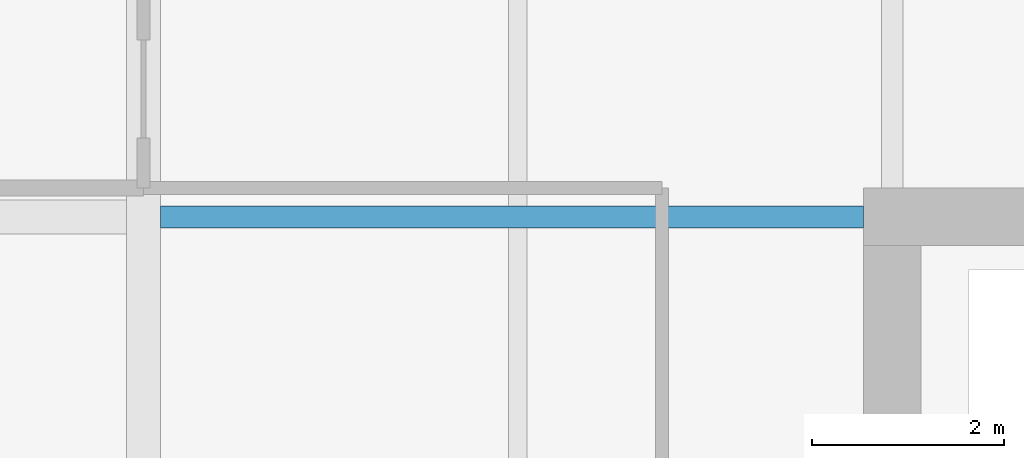
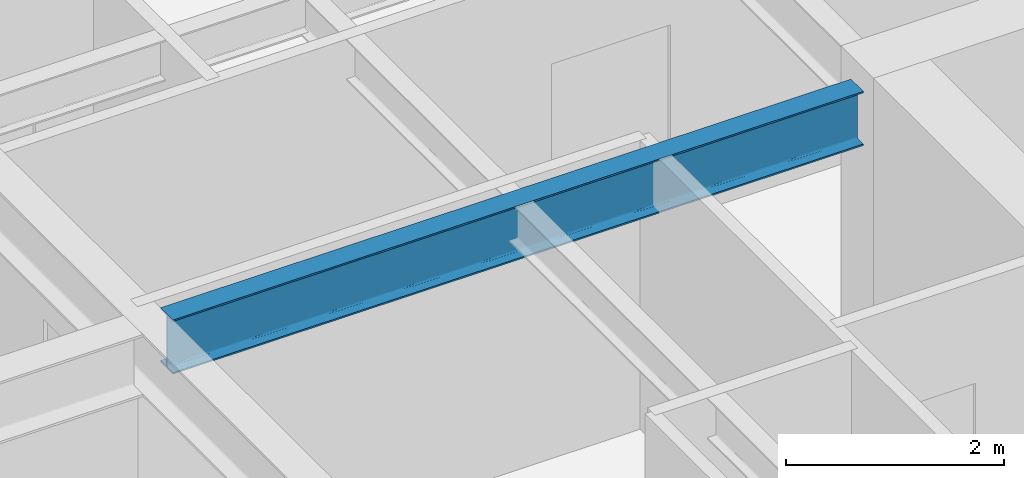
# One storey, part 17 of 33: 1 beam.
"""IFC4 building model written with IfcOpenShell, lengths in metres."""

from ifc_helpers import new_model, si_unit, direction, frame, origin, origin_2d, place, context, subcontext, project, spatial, i_section, extrude, material, material_profile, profile_set, type_object, element, save


model = new_model("IFC4")

# Units and contexts
model_context = context("Model", 3, precision=1e-05, world=origin(), true_north=direction((0.0, 1.0)))
body_context = subcontext(model_context, "Body", "Model", "MODEL_VIEW")
ifc_project = project(units=[si_unit("LENGTHUNIT", "METRE"), si_unit("AREAUNIT", "SQUARE_METRE"), si_unit("VOLUMEUNIT", "CUBIC_METRE"), si_unit("PLANEANGLEUNIT", "RADIAN"), si_unit("MASSUNIT", "GRAM", prefix="KILO")], contexts=[model_context])

# Site, building, storey
site_placement = place(None, origin())
site = spatial("IfcSite", under=ifc_project, at=site_placement, CompositionType="ELEMENT")
building_placement = place(site_placement, origin())
building = spatial("IfcBuilding", under=site, at=building_placement, Name="Drelvath Grand Hotel", CompositionType="ELEMENT")
storey_placement = place(building_placement, frame((0.0, 0.0, 119.800048828125)))
storey = spatial("IfcBuildingStorey", under=building, at=storey_placement, Name="L30", CompositionType="ELEMENT", Elevation=119.800048828125)

# Beam
ifc_material = material(Name="Steel ASTM A992 Gr 50", Category="steel")
ifc_material_profile = material_profile(ifc_material, i_section(OverallWidth=0.228271484375, OverallDepth=0.607666015625, WebThickness=0.01123046875, FlangeThickness=0.017333984375, FilletRadius=0.02001953125, at=origin_2d()), Name="W24X76")
ifc_profile_set = profile_set([ifc_material_profile], Name="Steel ASTM A992 Gr 50")
beam_type = type_object("IfcBeamType", Name="Primary Floor Girder W24X76", PredefinedType="BEAM", material=ifc_profile_set)
beam_placement = place(storey_placement, frame((-16.022705078125, 35.39990234375, 2.93603515625), z_axis=(1.0, 0.0, 0.0), x_axis=(0.0, 1.0, 0.0)))
element("IfcBeam", 1, at=beam_placement, inside=storey, type_object=beam_type, Name="L30 West Core Tie F", PredefinedType="BEAM", context=body_context, shape_type="SweptSolid", body=[
    extrude(i_section(OverallWidth=0.228271484375, OverallDepth=0.607666015625, WebThickness=0.01123046875, FlangeThickness=0.017333984375, FilletRadius=0.02001953125, at=origin_2d()), origin(), (0.0, 0.0, 1.0), 7.32275390625),
])

save(model, "model.ifc")
